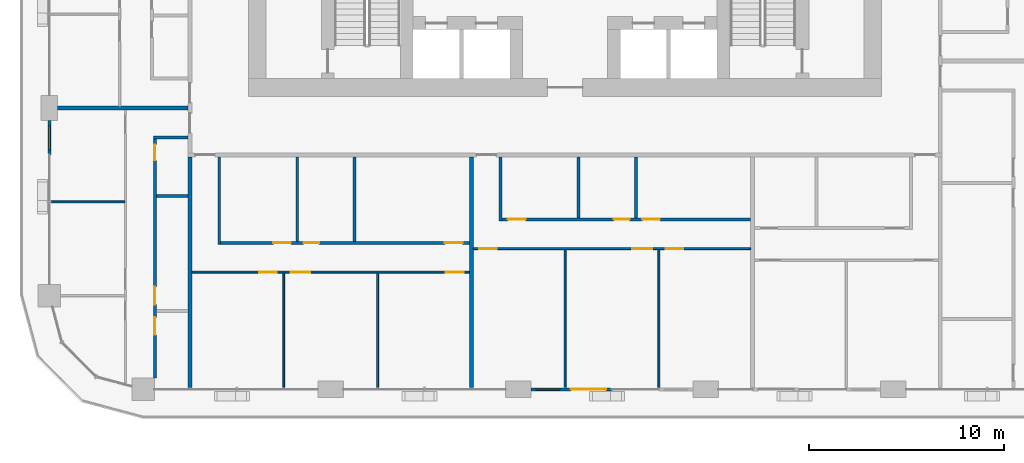
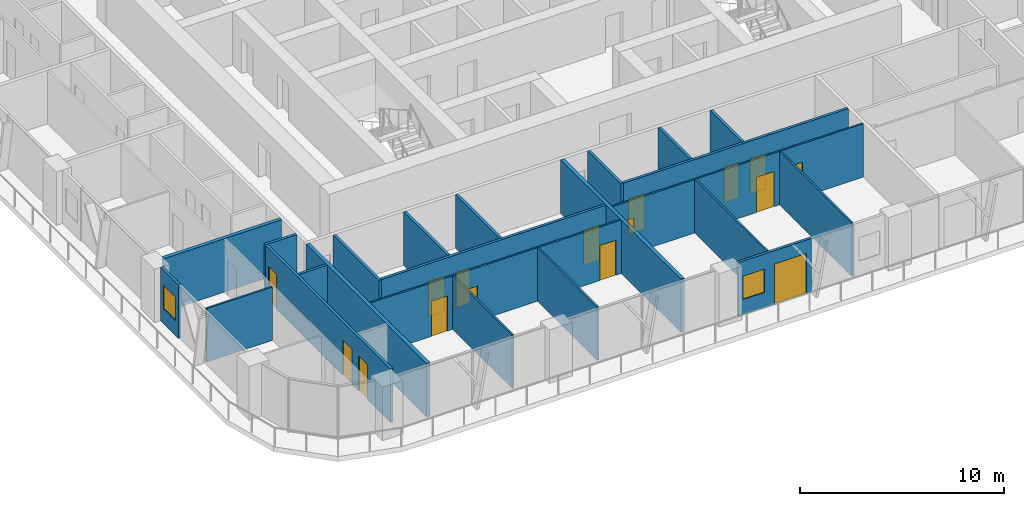
# One storey, part 9 of 22: 23 walls, 16 doors, 2 windows, 18 openings.
"""IFC4 building model written with IfcOpenShell, lengths in metres."""

from ifc_helpers import new_model, si_unit, direction, frame, frame_2d, origin, place, context, subcontext, project, spatial, rectangle, extrude, material, layer, layer_set, type_object, element, fill, save


model = new_model("IFC4")

# Units and contexts
model_context = context("Model", 3, precision=1e-05, world=origin(), true_north=direction((0.0, 1.0)))
body_context = subcontext(model_context, "Body", "Model", "MODEL_VIEW")
ifc_project = project(units=[si_unit("LENGTHUNIT", "METRE"), si_unit("AREAUNIT", "SQUARE_METRE"), si_unit("VOLUMEUNIT", "CUBIC_METRE"), si_unit("PLANEANGLEUNIT", "RADIAN"), si_unit("MASSUNIT", "GRAM", prefix="KILO")], contexts=[model_context])

# Site, building, storey
site_placement = place(None, origin())
site = spatial("IfcSite", under=ifc_project, at=site_placement, CompositionType="ELEMENT")
building_placement = place(site_placement, origin())
building = spatial("IfcBuilding", under=site, at=building_placement, Name="Madar Terraces", CompositionType="ELEMENT")
storey_placement = place(building_placement, frame((0.0, 0.0, 59.300048828125)))
storey = spatial("IfcBuildingStorey", under=building, at=storey_placement, Name="L14", CompositionType="ELEMENT", Elevation=59.300048828125)

# Wall, openings, door, window
ifc_material_1 = material(Name="Aluminium composite panel, black, over insulated backing", Category="aluminium")
ifc_layer_1 = layer(ifc_material_1, 0.14990234375)
ifc_layer_set_1 = layer_set([ifc_layer_1], Name="Facade bay panel 150")
wall_type_1 = type_object("IfcWallType", Name="Facade bay panel 150", PredefinedType="SOLIDWALL", material=ifc_layer_set_1)
wall_1_placement = place(storey_placement, frame((29.449951171875, 0.0, 0.0), z_axis=(0.0, 0.0, 1.0), x_axis=(1.0, 0.0, 0.0)))
wall_1 = element("IfcWall", 1, at=wall_1_placement, inside=storey, type_object=wall_type_1, Name="Facade bay panel", PredefinedType="SOLIDWALL", context=body_context, shape_type="SweptSolid", body=[
    extrude(rectangle(XDim=4.150146484375, YDim=0.14990234375, at=frame_2d((2.0751953125, 0.0))), origin(), (0.0, 0.0, 1.0), 3.199951171875),
])
opening_1_placement = place(wall_1_placement, frame((0.27490234375, 0.0, 0.89990234375)))
opening_1 = element("IfcOpeningElement", 2, at=opening_1_placement, cuts=wall_1, Name="Opening W1", PredefinedType="OPENING", context=body_context, shape_type="SweptSolid", body=[
    extrude(rectangle(XDim=1.199951171875, YDim=1.39990234375, at=frame_2d((0.60009765625, 0.699951171875))), frame((0.0, 0.0849609375, 0.0), z_axis=(0.0, -1.0, 0.0), x_axis=(1.0, 0.0, 0.0)), (0.0, 0.0, 1.0), 0.169921875),
])
opening_2_placement = place(wall_1_placement, frame((2.050048828125, 0.0, 0.0)))
opening_2 = element("IfcOpeningElement", 3, at=opening_2_placement, cuts=wall_1, Name="Opening ED1", PredefinedType="OPENING", context=body_context, shape_type="SweptSolid", body=[
    extrude(rectangle(XDim=1.800048828125, YDim=2.39990234375, at=frame_2d((0.89990234375, 1.199951171875))), frame((0.0, 0.0849609375, 0.0), z_axis=(0.0, -1.0, 0.0), x_axis=(1.0, 0.0, 0.0)), (0.0, 0.0, 1.0), 0.169921875),
])
ifc_material_2 = material(Name="Glass, clear, with black aluminium frame", Category="aluminium")
door_type_1 = type_object("IfcDoorType", Name="Balcony and terrace sliding door 1800 x 2400", OperationType="SLIDING_TO_LEFT", PredefinedType="DOOR", material=ifc_material_2)
door_1_placement = place(opening_2_placement, origin())
door_1 = element("IfcDoor", 4, at=door_1_placement, inside=storey, type_object=door_type_1, Name="Balcony door", OperationType="SLIDING_TO_LEFT", OverallHeight=2.39990234375, OverallWidth=1.800048828125, PredefinedType="DOOR", context=body_context, shape_type="SweptSolid", body=[
    extrude(rectangle(XDim=1.800048828125, YDim=2.39990234375, at=frame_2d((0.89990234375, 1.199951171875))), frame((0.0, 0.02490234375, 0.0), z_axis=(0.0, -1.0, 0.0), x_axis=(1.0, 0.0, 0.0)), (0.0, 0.0, 1.0), 0.050048828125),
])
fill(opening_2, door_1)
ifc_material_3 = material(Name="Glass, clear, with black aluminium frame", Category="aluminium")
window_type = type_object("IfcWindowType", Name="Vent window 1200 x 1400", PartitioningType="SINGLE_PANEL", PredefinedType="WINDOW", material=ifc_material_3)
window_1_placement = place(opening_1_placement, origin())
window_1 = element("IfcWindow", 5, at=window_1_placement, inside=storey, type_object=window_type, Name="Operable vent window", OverallHeight=1.39990234375, OverallWidth=1.199951171875, PartitioningType="SINGLE_PANEL", PredefinedType="WINDOW", context=body_context, shape_type="SweptSolid", body=[
    extrude(rectangle(XDim=1.199951171875, YDim=1.39990234375, at=frame_2d((0.60009765625, 0.699951171875))), frame((0.0, 0.030029296875, 0.0), z_axis=(0.0, -1.0, 0.0), x_axis=(1.0, 0.0, 0.0)), (0.0, 0.0, 1.0), 0.06005859375),
])
fill(opening_1, window_1)

# Wall, opening, window
wall_2_placement = place(storey_placement, frame((4.800048828125, 13.75, 0.0), z_axis=(0.0, 0.0, 1.0), x_axis=(0.0, -1.0, 0.0)))
wall_2 = element("IfcWall", 6, at=wall_2_placement, inside=storey, type_object=wall_type_1, Name="Facade bay panel", PredefinedType="SOLIDWALL", context=body_context, shape_type="SweptSolid", body=[
    extrude(rectangle(XDim=1.75, YDim=0.14990234375, at=frame_2d((0.875, 0.0))), origin(), (0.0, 0.0, 1.0), 3.199951171875),
])
opening_3_placement = place(wall_2_placement, frame((0.27490234375, 0.0, 0.89990234375)))
opening_3 = element("IfcOpeningElement", 7, at=opening_3_placement, cuts=wall_2, Name="Opening W1", PredefinedType="OPENING", context=body_context, shape_type="SweptSolid", body=[
    extrude(rectangle(XDim=1.199951171875, YDim=1.39990234375, at=frame_2d((0.60009765625, 0.699951171875))), frame((0.0, 0.0849609375, 0.0), z_axis=(0.0, -1.0, 0.0), x_axis=(1.0, 0.0, 0.0)), (0.0, 0.0, 1.0), 0.169921875),
])
window_2_placement = place(opening_3_placement, origin())
window_2 = element("IfcWindow", 8, at=window_2_placement, inside=storey, type_object=window_type, Name="Operable vent window", OverallHeight=1.39990234375, OverallWidth=1.199951171875, PartitioningType="SINGLE_PANEL", PredefinedType="WINDOW", context=body_context, shape_type="SweptSolid", body=[
    extrude(rectangle(XDim=1.199951171875, YDim=1.39990234375, at=frame_2d((0.60009765625, 0.699951171875))), frame((0.0, 0.030029296875, 0.0), z_axis=(0.0, -1.0, 0.0), x_axis=(1.0, 0.0, 0.0)), (0.0, 0.0, 1.0), 0.06005859375),
])
fill(opening_3, window_2)

# Walls
ifc_material_4 = material(Name="Gypsum board on steel studs", Category="steel")
ifc_layer_2 = layer(ifc_material_4, 0.10009765625)
ifc_layer_set_2 = layer_set([ifc_layer_2], Name="Flat partition 100")
wall_type_2 = type_object("IfcWallType", Name="Flat partition 100", PredefinedType="PARTITIONING", material=ifc_layer_set_2)
for number, where, z_axis, x_axis, name in (
    (9, (16.800048828125, 5.949951171875, 0.0), (0.0, 0.0, 1.0), (0.0, -1.0, 0.0), "Flat partition 100"),
    (10, (21.60009765625, 5.949951171875, 0.0), (0.0, 0.0, 1.0), (0.0, -1.0, 0.0), "Flat partition 100"),
):
    element("IfcWall", number, at=place(storey_placement, frame(where, z_axis=z_axis, x_axis=x_axis)), inside=storey, type_object=wall_type_2, Name=name, PredefinedType="PARTITIONING", context=body_context, shape_type="SweptSolid", body=[
        extrude(rectangle(XDim=5.849853515625, YDim=0.10009765625, at=frame_2d((2.9248046875, 0.0))), origin(), (0.0, 0.0, 1.0), 3.199951171875),
    ])

# Wall, openings, doors
wall_3_placement = place(storey_placement, frame((26.300048828125, 6.0, 0.0), z_axis=(0.0, 0.0, 1.0), x_axis=(-1.0, 0.0, 0.0)))
wall_3 = element("IfcWall", 11, at=wall_3_placement, inside=storey, type_object=wall_type_2, Name="Flat partition 100", PredefinedType="PARTITIONING", context=body_context, shape_type="SweptSolid", body=[
    extrude(rectangle(XDim=14.199951171875, YDim=0.10009765625, at=frame_2d((7.10009765625, 0.0))), origin(), (0.0, 0.0, 1.0), 3.199951171875),
])
opening_4_placement = place(wall_3_placement, frame((9.85009765625, 0.0, 0.0)))
opening_4 = element("IfcOpeningElement", 12, at=opening_4_placement, cuts=wall_3, Name="Opening D2", PredefinedType="OPENING", context=body_context, shape_type="SweptSolid", body=[
    extrude(rectangle(XDim=0.89990234375, YDim=2.10009765625, at=frame_2d((0.449951171875, 1.050048828125))), frame((0.0, 0.06005859375, 0.0), z_axis=(0.0, -1.0, 0.0), x_axis=(1.0, 0.0, 0.0)), (0.0, 0.0, 1.0), 0.1201171875),
])
opening_5_placement = place(wall_3_placement, frame((8.14990234375, 0.0, 0.0)))
opening_5 = element("IfcOpeningElement", 13, at=opening_5_placement, cuts=wall_3, Name="Opening D3", PredefinedType="OPENING", context=body_context, shape_type="SweptSolid", body=[
    extrude(rectangle(XDim=1.0, YDim=2.10009765625, at=frame_2d((0.5, 1.050048828125))), frame((0.0, 0.06005859375, 0.0), z_axis=(0.0, -1.0, 0.0), x_axis=(1.0, 0.0, 0.0)), (0.0, 0.0, 1.0), 0.1201171875),
])
opening_6_placement = place(wall_3_placement, frame((0.300048828125, 0.0, 0.0)))
opening_6 = element("IfcOpeningElement", 14, at=opening_6_placement, cuts=wall_3, Name="Opening D2", PredefinedType="OPENING", context=body_context, shape_type="SweptSolid", body=[
    extrude(rectangle(XDim=0.89990234375, YDim=2.10009765625, at=frame_2d((0.449951171875, 1.050048828125))), frame((0.0, 0.06005859375, 0.0), z_axis=(0.0, -1.0, 0.0), x_axis=(1.0, 0.0, 0.0)), (0.0, 0.0, 1.0), 0.1201171875),
])
ifc_material_5 = material(Name="Timber door leaf", Category="wood")
door_type_2 = type_object("IfcDoorType", Name="Flat living room door 1000", OperationType="NOTDEFINED", PredefinedType="DOOR", material=ifc_material_5)
door_2_placement = place(opening_5_placement, origin())
door_2 = element("IfcDoor", 15, at=door_2_placement, inside=storey, type_object=door_type_2, Name="Flat living room door 1000", OperationType="SINGLE_SWING_RIGHT", OverallHeight=2.10009765625, OverallWidth=1.0, PredefinedType="DOOR", context=body_context, shape_type="SweptSolid", body=[
    extrude(rectangle(XDim=1.0, YDim=2.10009765625, at=frame_2d((0.5, 1.050048828125))), frame((0.0, 0.02490234375, 0.0), z_axis=(0.0, -1.0, 0.0), x_axis=(1.0, 0.0, 0.0)), (0.0, 0.0, 1.0), 0.050048828125),
])
fill(opening_5, door_2)
ifc_material_6 = material(Name="Timber door leaf", Category="wood")
door_type_3 = type_object("IfcDoorType", Name="Flat room door 900", OperationType="NOTDEFINED", PredefinedType="DOOR", material=ifc_material_6)
door_3_placement = place(opening_4_placement, origin())
door_3 = element("IfcDoor", 16, at=door_3_placement, inside=storey, type_object=door_type_3, Name="Flat room door 900", OperationType="SINGLE_SWING_LEFT", OverallHeight=2.10009765625, OverallWidth=0.89990234375, PredefinedType="DOOR", context=body_context, shape_type="SweptSolid", body=[
    extrude(rectangle(XDim=0.89990234375, YDim=2.10009765625, at=frame_2d((0.449951171875, 1.050048828125))), frame((0.0, 0.02490234375, 0.0), z_axis=(0.0, -1.0, 0.0), x_axis=(1.0, 0.0, 0.0)), (0.0, 0.0, 1.0), 0.050048828125),
])
fill(opening_4, door_3)
door_4_placement = place(opening_6_placement, origin())
door_4 = element("IfcDoor", 17, at=door_4_placement, inside=storey, type_object=door_type_3, Name="Flat room door 900", OperationType="SINGLE_SWING_LEFT", OverallHeight=2.10009765625, OverallWidth=0.89990234375, PredefinedType="DOOR", context=body_context, shape_type="SweptSolid", body=[
    extrude(rectangle(XDim=0.89990234375, YDim=2.10009765625, at=frame_2d((0.449951171875, 1.050048828125))), frame((0.0, 0.02490234375, 0.0), z_axis=(0.0, -1.0, 0.0), x_axis=(1.0, 0.0, 0.0)), (0.0, 0.0, 1.0), 0.050048828125),
])
fill(opening_6, door_4)

# Walls
for number, where, z_axis, x_axis, name in (
    (18, (31.199951171875, 7.14990234375, 0.0), (0.0, 0.0, 1.0), (0.0, -1.0, 0.0), "Flat partition 100"),
    (19, (36.0, 7.14990234375, 0.0), (0.0, 0.0, 1.0), (0.0, -1.0, 0.0), "Flat partition 100"),
):
    element("IfcWall", number, at=place(storey_placement, frame(where, z_axis=z_axis, x_axis=x_axis)), inside=storey, type_object=wall_type_2, Name=name, PredefinedType="PARTITIONING", context=body_context, shape_type="SweptSolid", body=[
        extrude(rectangle(XDim=7.0498046875, YDim=0.10009765625, at=frame_2d((3.52490234375, 0.0))), origin(), (0.0, 0.0, 1.0), 3.199951171875),
    ])

# Wall, openings, doors
wall_4_placement = place(storey_placement, frame((40.699951171875, 7.199951171875, 0.0), z_axis=(0.0, 0.0, 1.0), x_axis=(-1.0, 0.0, 0.0)))
wall_4 = element("IfcWall", 20, at=wall_4_placement, inside=storey, type_object=wall_type_2, Name="Flat partition 100", PredefinedType="PARTITIONING", context=body_context, shape_type="SweptSolid", body=[
    extrude(rectangle(XDim=14.199951171875, YDim=0.10009765625, at=frame_2d((7.10009765625, 0.0))), origin(), (0.0, 0.0, 1.0), 3.199951171875),
])
opening_7_placement = place(wall_4_placement, frame((13.0, 0.0, 0.0)))
opening_7 = element("IfcOpeningElement", 21, at=opening_7_placement, cuts=wall_4, Name="Opening D2", PredefinedType="OPENING", context=body_context, shape_type="SweptSolid", body=[
    extrude(rectangle(XDim=0.89990234375, YDim=2.10009765625, at=frame_2d((0.449951171875, 1.050048828125))), frame((0.0, 0.06005859375, 0.0), z_axis=(0.0, -1.0, 0.0), x_axis=(1.0, 0.0, 0.0)), (0.0, 0.0, 1.0), 0.1201171875),
])
opening_8_placement = place(wall_4_placement, frame((5.050048828125, 0.0, 0.0)))
opening_8 = element("IfcOpeningElement", 22, at=opening_8_placement, cuts=wall_4, Name="Opening D3", PredefinedType="OPENING", context=body_context, shape_type="SweptSolid", body=[
    extrude(rectangle(XDim=1.0, YDim=2.10009765625, at=frame_2d((0.5, 1.050048828125))), frame((0.0, 0.06005859375, 0.0), z_axis=(0.0, -1.0, 0.0), x_axis=(1.0, 0.0, 0.0)), (0.0, 0.0, 1.0), 0.1201171875),
])
opening_9_placement = place(wall_4_placement, frame((3.449951171875, 0.0, 0.0)))
opening_9 = element("IfcOpeningElement", 23, at=opening_9_placement, cuts=wall_4, Name="Opening D2", PredefinedType="OPENING", context=body_context, shape_type="SweptSolid", body=[
    extrude(rectangle(XDim=0.89990234375, YDim=2.10009765625, at=frame_2d((0.449951171875, 1.050048828125))), frame((0.0, 0.06005859375, 0.0), z_axis=(0.0, -1.0, 0.0), x_axis=(1.0, 0.0, 0.0)), (0.0, 0.0, 1.0), 0.1201171875),
])
door_5_placement = place(opening_8_placement, origin())
door_5 = element("IfcDoor", 24, at=door_5_placement, inside=storey, type_object=door_type_2, Name="Flat living room door 1000", OperationType="SINGLE_SWING_LEFT", OverallHeight=2.10009765625, OverallWidth=1.0, PredefinedType="DOOR", context=body_context, shape_type="SweptSolid", body=[
    extrude(rectangle(XDim=1.0, YDim=2.10009765625, at=frame_2d((0.5, 1.050048828125))), frame((0.0, 0.02490234375, 0.0), z_axis=(0.0, -1.0, 0.0), x_axis=(1.0, 0.0, 0.0)), (0.0, 0.0, 1.0), 0.050048828125),
])
fill(opening_8, door_5)
door_6_placement = place(opening_7_placement, origin())
door_6 = element("IfcDoor", 25, at=door_6_placement, inside=storey, type_object=door_type_3, Name="Flat room door 900", OperationType="SINGLE_SWING_RIGHT", OverallHeight=2.10009765625, OverallWidth=0.89990234375, PredefinedType="DOOR", context=body_context, shape_type="SweptSolid", body=[
    extrude(rectangle(XDim=0.89990234375, YDim=2.10009765625, at=frame_2d((0.449951171875, 1.050048828125))), frame((0.0, 0.02490234375, 0.0), z_axis=(0.0, -1.0, 0.0), x_axis=(1.0, 0.0, 0.0)), (0.0, 0.0, 1.0), 0.050048828125),
])
fill(opening_7, door_6)
door_7_placement = place(opening_9_placement, origin())
door_7 = element("IfcDoor", 26, at=door_7_placement, inside=storey, type_object=door_type_3, Name="Flat room door 900", OperationType="SINGLE_SWING_RIGHT", OverallHeight=2.10009765625, OverallWidth=0.89990234375, PredefinedType="DOOR", context=body_context, shape_type="SweptSolid", body=[
    extrude(rectangle(XDim=0.89990234375, YDim=2.10009765625, at=frame_2d((0.449951171875, 1.050048828125))), frame((0.0, 0.02490234375, 0.0), z_axis=(0.0, -1.0, 0.0), x_axis=(1.0, 0.0, 0.0)), (0.0, 0.0, 1.0), 0.050048828125),
])
fill(opening_9, door_7)

# Walls
wall_5_placement = place(storey_placement, frame((8.64990234375, 9.60009765625, 0.0), z_axis=(0.0, 0.0, 1.0), x_axis=(-1.0, 0.0, 0.0)))
element("IfcWall", 27, at=wall_5_placement, inside=storey, type_object=wall_type_2, Name="Flat partition 100", PredefinedType="PARTITIONING", context=body_context, shape_type="SweptSolid", body=[
    extrude(rectangle(XDim=3.75, YDim=0.10009765625, at=frame_2d((1.875, 0.0))), origin(), (0.0, 0.0, 1.0), 3.199951171875),
])
ifc_material_7 = material(Name="Lightweight blockwork", Category="masonry")
ifc_layer_3 = layer(ifc_material_7, 0.199951171875)
ifc_layer_set_3 = layer_set([ifc_layer_3], Name="Flat party and entrance wall 200")
wall_type_3 = type_object("IfcWallType", Name="Flat party and entrance wall 200", PredefinedType="PARTITIONING", material=ifc_layer_set_3)
for number, where, z_axis, x_axis, name in (
    (28, (26.39990234375, 11.89990234375, 0.0), (0.0, 0.0, 1.0), (0.0, -1.0, 0.0), "Flat party and entrance wall 200"),
    (29, (12.0, 0.10009765625, 0.0), (0.0, 0.0, 1.0), (0.0, 1.0, 0.0), "Flat party and entrance wall 200"),
):
    element("IfcWall", number, at=place(storey_placement, frame(where, z_axis=z_axis, x_axis=x_axis)), inside=storey, type_object=wall_type_3, Name=name, PredefinedType="PARTITIONING", context=body_context, shape_type="SweptSolid", body=[
        extrude(rectangle(XDim=11.7998046875, YDim=0.199951171875, at=frame_2d((5.89990234375, 0.0))), origin(), (0.0, 0.0, 1.0), 3.199951171875),
    ])
wall_6_placement = place(storey_placement, frame((5.22509765625, 14.39990234375, 0.0), z_axis=(0.0, 0.0, 1.0), x_axis=(1.0, 0.0, 0.0)))
element("IfcWall", 30, at=wall_6_placement, inside=storey, type_object=wall_type_3, Name="Flat party and entrance wall 200", PredefinedType="PARTITIONING", context=body_context, shape_type="SweptSolid", body=[
    extrude(rectangle(XDim=6.6748046875, YDim=0.199951171875, at=frame_2d((3.33740234375, 0.0))), origin(), (0.0, 0.0, 1.0), 3.199951171875),
])
ifc_material_8 = material(Name="Lightweight blockwork", Category="masonry")
ifc_layer_4 = layer(ifc_material_8, 0.14990234375)
ifc_layer_set_4 = layer_set([ifc_layer_4], Name="Flat wet-room partition 150")
wall_type_4 = type_object("IfcWallType", Name="Flat wet-room partition 150", PredefinedType="PARTITIONING", material=ifc_layer_set_4)
for number, where, z_axis, x_axis, name in (
    (31, (17.490478515625, 11.89990234375, 0.0), (0.0, 0.0, 1.0), (0.0, -1.0, 0.0), "Flat wet-room partition 150"),
    (32, (20.427001953125, 11.89990234375, 0.0), (0.0, 0.0, 1.0), (0.0, -1.0, 0.0), "Flat wet-room partition 150"),
):
    element("IfcWall", number, at=place(storey_placement, frame(where, z_axis=z_axis, x_axis=x_axis)), inside=storey, type_object=wall_type_4, Name=name, PredefinedType="PARTITIONING", context=body_context, shape_type="SweptSolid", body=[
        extrude(rectangle(XDim=4.324951171875, YDim=0.14990234375, at=frame_2d((2.16259765625, 0.0))), origin(), (0.0, 0.0, 1.0), 3.199951171875),
    ])
wall_7_placement = place(storey_placement, frame((13.5, 11.89990234375, 0.0), z_axis=(0.0, 0.0, 1.0), x_axis=(0.0, -1.0, 0.0)))
element("IfcWall", 33, at=wall_7_placement, inside=storey, type_object=wall_type_4, Name="Flat wet-room partition 150", PredefinedType="PARTITIONING", context=body_context, shape_type="SweptSolid", body=[
    extrude(rectangle(XDim=4.474853515625, YDim=0.14990234375, at=frame_2d((2.2373046875, 0.0))), origin(), (0.0, 0.0, 1.0), 3.199951171875),
])

# Wall, openings, doors
wall_8_placement = place(storey_placement, frame((13.574951171875, 7.5, 0.0), z_axis=(0.0, 0.0, 1.0), x_axis=(1.0, 0.0, 0.0)))
wall_8 = element("IfcWall", 34, at=wall_8_placement, inside=storey, type_object=wall_type_4, Name="Flat wet-room partition 150", PredefinedType="PARTITIONING", context=body_context, shape_type="SweptSolid", body=[
    extrude(rectangle(XDim=12.72509765625, YDim=0.14990234375, at=frame_2d((6.362548828125, 0.0))), origin(), (0.0, 0.0, 1.0), 3.199951171875),
])
opening_10_placement = place(wall_8_placement, frame((2.6904296875, 0.0, 0.0)))
opening_10 = element("IfcOpeningElement", 35, at=opening_10_placement, cuts=wall_8, Name="Opening D5", PredefinedType="OPENING", context=body_context, shape_type="SweptSolid", body=[
    extrude(rectangle(XDim=0.89990234375, YDim=2.10009765625, at=frame_2d((0.449951171875, 1.050048828125))), frame((0.0, 0.0849609375, 0.0), z_axis=(0.0, -1.0, 0.0), x_axis=(1.0, 0.0, 0.0)), (0.0, 0.0, 1.0), 0.169921875),
])
opening_11_placement = place(wall_8_placement, frame((4.240478515625, 0.0, 0.0)))
opening_11 = element("IfcOpeningElement", 36, at=opening_11_placement, cuts=wall_8, Name="Opening D4", PredefinedType="OPENING", context=body_context, shape_type="SweptSolid", body=[
    extrude(rectangle(XDim=0.800048828125, YDim=2.10009765625, at=frame_2d((0.39990234375, 1.050048828125))), frame((0.0, 0.0849609375, 0.0), z_axis=(0.0, -1.0, 0.0), x_axis=(1.0, 0.0, 0.0)), (0.0, 0.0, 1.0), 0.169921875),
])
opening_12_placement = place(wall_8_placement, frame((11.47509765625, 0.0, 0.0)))
opening_12 = element("IfcOpeningElement", 37, at=opening_12_placement, cuts=wall_8, Name="Opening D2", PredefinedType="OPENING", context=body_context, shape_type="SweptSolid", body=[
    extrude(rectangle(XDim=0.89990234375, YDim=2.10009765625, at=frame_2d((0.449951171875, 1.050048828125))), frame((0.0, 0.0849609375, 0.0), z_axis=(0.0, -1.0, 0.0), x_axis=(1.0, 0.0, 0.0)), (0.0, 0.0, 1.0), 0.169921875),
])
ifc_material_9 = material(Name="Timber door leaf", Category="wood")
door_type_4 = type_object("IfcDoorType", Name="Flat accessible bathroom door 900", OperationType="NOTDEFINED", PredefinedType="DOOR", material=ifc_material_9)
door_8_placement = place(opening_10_placement, origin())
door_8 = element("IfcDoor", 38, at=door_8_placement, inside=storey, type_object=door_type_4, Name="Flat accessible bathroom door 900", OperationType="SINGLE_SWING_RIGHT", OverallHeight=2.10009765625, OverallWidth=0.89990234375, PredefinedType="DOOR", context=body_context, shape_type="SweptSolid", body=[
    extrude(rectangle(XDim=0.89990234375, YDim=2.10009765625, at=frame_2d((0.449951171875, 1.050048828125))), frame((0.0, 0.02490234375, 0.0), z_axis=(0.0, -1.0, 0.0), x_axis=(1.0, 0.0, 0.0)), (0.0, 0.0, 1.0), 0.050048828125),
])
fill(opening_10, door_8)
ifc_material_10 = material(Name="Timber door leaf", Category="wood")
door_type_5 = type_object("IfcDoorType", Name="Flat bathroom door 800", OperationType="NOTDEFINED", PredefinedType="DOOR", material=ifc_material_10)
door_9_placement = place(opening_11_placement, origin())
door_9 = element("IfcDoor", 39, at=door_9_placement, inside=storey, type_object=door_type_5, Name="Flat bathroom door 800", OperationType="SINGLE_SWING_LEFT", OverallHeight=2.10009765625, OverallWidth=0.800048828125, PredefinedType="DOOR", context=body_context, shape_type="SweptSolid", body=[
    extrude(rectangle(XDim=0.800048828125, YDim=2.10009765625, at=frame_2d((0.39990234375, 1.050048828125))), frame((0.0, 0.02490234375, 0.0), z_axis=(0.0, -1.0, 0.0), x_axis=(1.0, 0.0, 0.0)), (0.0, 0.0, 1.0), 0.050048828125),
])
fill(opening_11, door_9)
door_10_placement = place(opening_12_placement, origin())
door_10 = element("IfcDoor", 40, at=door_10_placement, inside=storey, type_object=door_type_3, Name="Flat room door 900", OperationType="SINGLE_SWING_RIGHT", OverallHeight=2.10009765625, OverallWidth=0.89990234375, PredefinedType="DOOR", context=body_context, shape_type="SweptSolid", body=[
    extrude(rectangle(XDim=0.89990234375, YDim=2.10009765625, at=frame_2d((0.449951171875, 1.050048828125))), frame((0.0, 0.02490234375, 0.0), z_axis=(0.0, -1.0, 0.0), x_axis=(1.0, 0.0, 0.0)), (0.0, 0.0, 1.0), 0.050048828125),
])
fill(opening_12, door_10)

# Walls
for number, where, z_axis, x_axis, name in (
    (41, (31.890380859375, 11.89990234375, 0.0), (0.0, 0.0, 1.0), (0.0, -1.0, 0.0), "Flat wet-room partition 150"),
    (42, (34.826904296875, 11.89990234375, 0.0), (0.0, 0.0, 1.0), (0.0, -1.0, 0.0), "Flat wet-room partition 150"),
):
    element("IfcWall", number, at=place(storey_placement, frame(where, z_axis=z_axis, x_axis=x_axis)), inside=storey, type_object=wall_type_4, Name=name, PredefinedType="PARTITIONING", context=body_context, shape_type="SweptSolid", body=[
        extrude(rectangle(XDim=3.125, YDim=0.14990234375, at=frame_2d((1.5625, 0.0))), origin(), (0.0, 0.0, 1.0), 3.199951171875),
    ])
wall_9_placement = place(storey_placement, frame((27.89990234375, 11.89990234375, 0.0), z_axis=(0.0, 0.0, 1.0), x_axis=(0.0, -1.0, 0.0)))
element("IfcWall", 43, at=wall_9_placement, inside=storey, type_object=wall_type_4, Name="Flat wet-room partition 150", PredefinedType="PARTITIONING", context=body_context, shape_type="SweptSolid", body=[
    extrude(rectangle(XDim=3.27490234375, YDim=0.14990234375, at=frame_2d((1.637451171875, 0.0))), origin(), (0.0, 0.0, 1.0), 3.199951171875),
])

# Wall, openings, doors
wall_10_placement = place(storey_placement, frame((27.97509765625, 8.699951171875, 0.0), z_axis=(0.0, 0.0, 1.0), x_axis=(1.0, 0.0, 0.0)))
wall_10 = element("IfcWall", 44, at=wall_10_placement, inside=storey, type_object=wall_type_4, Name="Flat wet-room partition 150", PredefinedType="PARTITIONING", context=body_context, shape_type="SweptSolid", body=[
    extrude(rectangle(XDim=12.724853515625, YDim=0.14990234375, at=frame_2d((6.3623046875, 0.0))), origin(), (0.0, 0.0, 1.0), 3.199951171875),
])
opening_13_placement = place(wall_10_placement, frame((0.300048828125, 0.0, 0.0)))
opening_13 = element("IfcOpeningElement", 45, at=opening_13_placement, cuts=wall_10, Name="Opening D5", PredefinedType="OPENING", context=body_context, shape_type="SweptSolid", body=[
    extrude(rectangle(XDim=0.89990234375, YDim=2.10009765625, at=frame_2d((0.449951171875, 1.050048828125))), frame((0.0, 0.0849609375, 0.0), z_axis=(0.0, -1.0, 0.0), x_axis=(1.0, 0.0, 0.0)), (0.0, 0.0, 1.0), 0.169921875),
])
opening_14_placement = place(wall_10_placement, frame((5.726806640625, 0.0, 0.0)))
opening_14 = element("IfcOpeningElement", 46, at=opening_14_placement, cuts=wall_10, Name="Opening D4", PredefinedType="OPENING", context=body_context, shape_type="SweptSolid", body=[
    extrude(rectangle(XDim=0.800048828125, YDim=2.10009765625, at=frame_2d((0.39990234375, 1.050048828125))), frame((0.0, 0.0849609375, 0.0), z_axis=(0.0, -1.0, 0.0), x_axis=(1.0, 0.0, 0.0)), (0.0, 0.0, 1.0), 0.169921875),
])
opening_15_placement = place(wall_10_placement, frame((7.177001953125, 0.0, 0.0)))
opening_15 = element("IfcOpeningElement", 47, at=opening_15_placement, cuts=wall_10, Name="Opening D2", PredefinedType="OPENING", context=body_context, shape_type="SweptSolid", body=[
    extrude(rectangle(XDim=0.89990234375, YDim=2.10009765625, at=frame_2d((0.449951171875, 1.050048828125))), frame((0.0, 0.0849609375, 0.0), z_axis=(0.0, -1.0, 0.0), x_axis=(1.0, 0.0, 0.0)), (0.0, 0.0, 1.0), 0.169921875),
])
door_11_placement = place(opening_13_placement, origin())
door_11 = element("IfcDoor", 48, at=door_11_placement, inside=storey, type_object=door_type_4, Name="Flat accessible bathroom door 900", OperationType="SINGLE_SWING_LEFT", OverallHeight=2.10009765625, OverallWidth=0.89990234375, PredefinedType="DOOR", context=body_context, shape_type="SweptSolid", body=[
    extrude(rectangle(XDim=0.89990234375, YDim=2.10009765625, at=frame_2d((0.449951171875, 1.050048828125))), frame((0.0, 0.02490234375, 0.0), z_axis=(0.0, -1.0, 0.0), x_axis=(1.0, 0.0, 0.0)), (0.0, 0.0, 1.0), 0.050048828125),
])
fill(opening_13, door_11)
door_12_placement = place(opening_14_placement, origin())
door_12 = element("IfcDoor", 49, at=door_12_placement, inside=storey, type_object=door_type_5, Name="Flat bathroom door 800", OperationType="SINGLE_SWING_RIGHT", OverallHeight=2.10009765625, OverallWidth=0.800048828125, PredefinedType="DOOR", context=body_context, shape_type="SweptSolid", body=[
    extrude(rectangle(XDim=0.800048828125, YDim=2.10009765625, at=frame_2d((0.39990234375, 1.050048828125))), frame((0.0, 0.02490234375, 0.0), z_axis=(0.0, -1.0, 0.0), x_axis=(1.0, 0.0, 0.0)), (0.0, 0.0, 1.0), 0.050048828125),
])
fill(opening_14, door_12)
door_13_placement = place(opening_15_placement, origin())
door_13 = element("IfcDoor", 50, at=door_13_placement, inside=storey, type_object=door_type_3, Name="Flat room door 900", OperationType="SINGLE_SWING_LEFT", OverallHeight=2.10009765625, OverallWidth=0.89990234375, PredefinedType="DOOR", context=body_context, shape_type="SweptSolid", body=[
    extrude(rectangle(XDim=0.89990234375, YDim=2.10009765625, at=frame_2d((0.449951171875, 1.050048828125))), frame((0.0, 0.02490234375, 0.0), z_axis=(0.0, -1.0, 0.0), x_axis=(1.0, 0.0, 0.0)), (0.0, 0.0, 1.0), 0.050048828125),
])
fill(opening_15, door_13)

# Walls
wall_11_placement = place(storey_placement, frame((11.89990234375, 9.888427734375, 0.0), z_axis=(0.0, 0.0, 1.0), x_axis=(-1.0, 0.0, 0.0)))
element("IfcWall", 51, at=wall_11_placement, inside=storey, type_object=wall_type_4, Name="Flat wet-room partition 150", PredefinedType="PARTITIONING", context=body_context, shape_type="SweptSolid", body=[
    extrude(rectangle(XDim=1.625, YDim=0.14990234375, at=frame_2d((0.8125, 0.0))), origin(), (0.0, 0.0, 1.0), 3.199951171875),
])
wall_12_placement = place(storey_placement, frame((11.89990234375, 12.89990234375, 0.0), z_axis=(0.0, 0.0, 1.0), x_axis=(-1.0, 0.0, 0.0)))
element("IfcWall", 52, at=wall_12_placement, inside=storey, type_object=wall_type_4, Name="Flat wet-room partition 150", PredefinedType="PARTITIONING", context=body_context, shape_type="SweptSolid", body=[
    extrude(rectangle(XDim=1.77490234375, YDim=0.14990234375, at=frame_2d((0.887451171875, 0.0))), origin(), (0.0, 0.0, 1.0), 3.199951171875),
])

# Wall, openings, doors
wall_13_placement = place(storey_placement, frame((10.199951171875, 12.824951171875, 0.0), z_axis=(0.0, 0.0, 1.0), x_axis=(0.0, -1.0, 0.0)))
wall_13 = element("IfcWall", 53, at=wall_13_placement, inside=storey, type_object=wall_type_4, Name="Flat wet-room partition 150", PredefinedType="PARTITIONING", context=body_context, shape_type="SweptSolid", body=[
    extrude(rectangle(XDim=12.25, YDim=0.14990234375, at=frame_2d((6.125, 0.0))), origin(), (0.0, 0.0, 1.0), 3.199951171875),
])
opening_16_placement = place(wall_13_placement, frame((0.300048828125, 0.0, 0.0)))
opening_16 = element("IfcOpeningElement", 54, at=opening_16_placement, cuts=wall_13, Name="Opening D4", PredefinedType="OPENING", context=body_context, shape_type="SweptSolid", body=[
    extrude(rectangle(XDim=0.800048828125, YDim=2.10009765625, at=frame_2d((0.39990234375, 1.050048828125))), frame((0.0, 0.0849609375, 0.0), z_axis=(0.0, -1.0, 0.0), x_axis=(1.0, 0.0, 0.0)), (0.0, 0.0, 1.0), 0.169921875),
])
opening_17_placement = place(wall_13_placement, frame((7.584716796875, 0.0, 0.0)))
opening_17 = element("IfcOpeningElement", 55, at=opening_17_placement, cuts=wall_13, Name="Opening D2", PredefinedType="OPENING", context=body_context, shape_type="SweptSolid", body=[
    extrude(rectangle(XDim=0.89990234375, YDim=2.10009765625, at=frame_2d((0.449951171875, 1.050048828125))), frame((0.0, 0.0849609375, 0.0), z_axis=(0.0, -1.0, 0.0), x_axis=(1.0, 0.0, 0.0)), (0.0, 0.0, 1.0), 0.169921875),
])
opening_18_placement = place(wall_13_placement, frame((9.134521484375, 0.0, 0.0)))
opening_18 = element("IfcOpeningElement", 56, at=opening_18_placement, cuts=wall_13, Name="Opening D5", PredefinedType="OPENING", context=body_context, shape_type="SweptSolid", body=[
    extrude(rectangle(XDim=0.89990234375, YDim=2.10009765625, at=frame_2d((0.449951171875, 1.050048828125))), frame((0.0, 0.0849609375, 0.0), z_axis=(0.0, -1.0, 0.0), x_axis=(1.0, 0.0, 0.0)), (0.0, 0.0, 1.0), 0.169921875),
])
door_14_placement = place(opening_18_placement, origin())
door_14 = element("IfcDoor", 57, at=door_14_placement, inside=storey, type_object=door_type_4, Name="Flat accessible bathroom door 900", OperationType="SINGLE_SWING_LEFT", OverallHeight=2.10009765625, OverallWidth=0.89990234375, PredefinedType="DOOR", context=body_context, shape_type="SweptSolid", body=[
    extrude(rectangle(XDim=0.89990234375, YDim=2.10009765625, at=frame_2d((0.449951171875, 1.050048828125))), frame((0.0, 0.02490234375, 0.0), z_axis=(0.0, -1.0, 0.0), x_axis=(1.0, 0.0, 0.0)), (0.0, 0.0, 1.0), 0.050048828125),
])
fill(opening_18, door_14)
door_15_placement = place(opening_16_placement, origin())
door_15 = element("IfcDoor", 58, at=door_15_placement, inside=storey, type_object=door_type_5, Name="Flat bathroom door 800", OperationType="SINGLE_SWING_LEFT", OverallHeight=2.10009765625, OverallWidth=0.800048828125, PredefinedType="DOOR", context=body_context, shape_type="SweptSolid", body=[
    extrude(rectangle(XDim=0.800048828125, YDim=2.10009765625, at=frame_2d((0.39990234375, 1.050048828125))), frame((0.0, 0.02490234375, 0.0), z_axis=(0.0, -1.0, 0.0), x_axis=(1.0, 0.0, 0.0)), (0.0, 0.0, 1.0), 0.050048828125),
])
fill(opening_16, door_15)
door_16_placement = place(opening_17_placement, origin())
door_16 = element("IfcDoor", 59, at=door_16_placement, inside=storey, type_object=door_type_3, Name="Flat room door 900", OperationType="SINGLE_SWING_RIGHT", OverallHeight=2.10009765625, OverallWidth=0.89990234375, PredefinedType="DOOR", context=body_context, shape_type="SweptSolid", body=[
    extrude(rectangle(XDim=0.89990234375, YDim=2.10009765625, at=frame_2d((0.449951171875, 1.050048828125))), frame((0.0, 0.02490234375, 0.0), z_axis=(0.0, -1.0, 0.0), x_axis=(1.0, 0.0, 0.0)), (0.0, 0.0, 1.0), 0.050048828125),
])
fill(opening_17, door_16)

save(model, "model.ifc")
